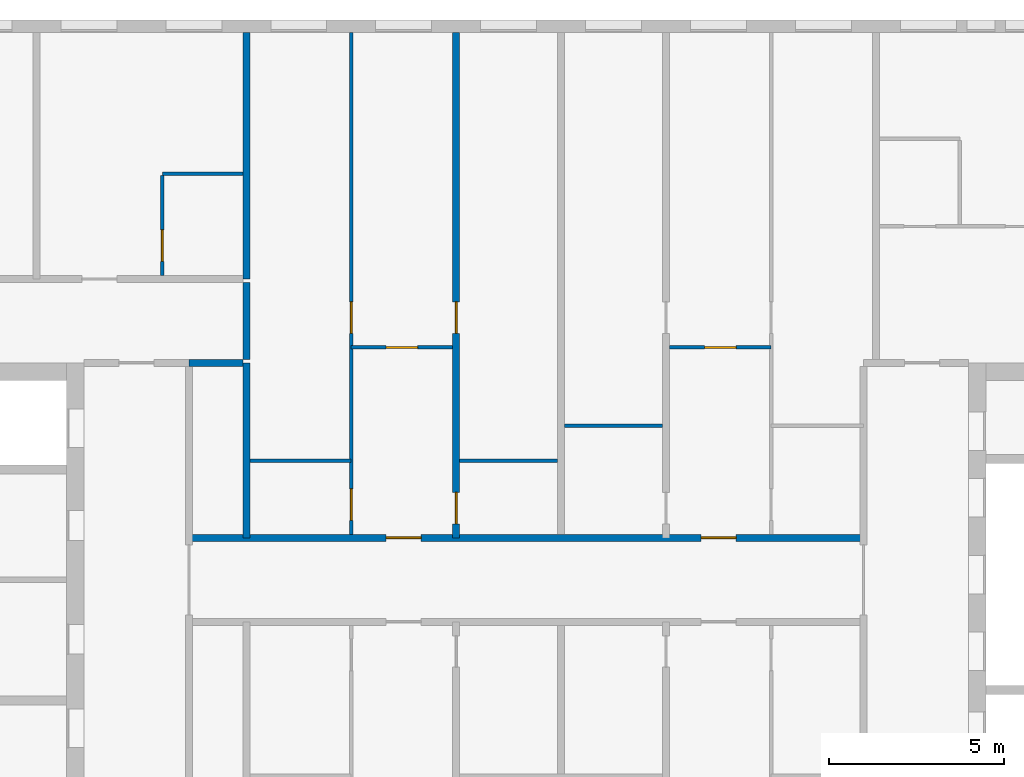
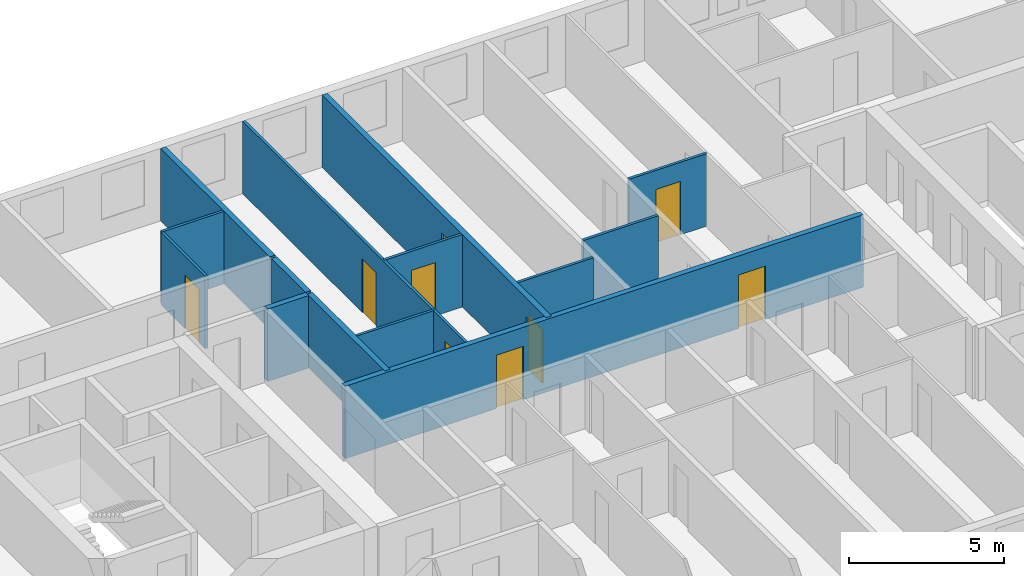
# One storey, part 5 of 16: 14 walls, 9 doors, 9 openings.
"""IFC4 building model written with IfcOpenShell, lengths in metres."""

import ifcopenshell
import ifcopenshell.guid

model = None  # the IFC model being written
_history = None  # IfcOwnerHistory: only IFC2X3 demands one
_inside = {}  # id of a spatial element -> (the spatial element, [elements in it])
_under = {}  # id of a project, library or spatial element -> (it, [spatial elements below it])
_declared = {}  # id of a project -> (the project, [libraries it declares])
_typed = {}  # id of a type object -> (the type object, [elements of that type])
_made_of = {}  # id of a material, layer set ... -> (it, [elements and type objects made of it])


def new_model(schema):
    """Start an empty IFC model of exactly this schema.

    Asked for "IFC4X3", IfcOpenShell would pick the latest addendum, in which some entities
    have other attributes; the version numbers below select the first issue.
    IFC2X3 requires an IfcOwnerHistory on every rooted entity: one is made here for all.
    """
    global model, _history
    if schema == "IFC4X3":
        model = ifcopenshell.file(schema_version=(4, 3, 0, 0))
    else:
        model = ifcopenshell.file(schema=schema)
    _inside.clear()
    _under.clear()
    _declared.clear()
    _typed.clear()
    _made_of.clear()
    _history = None
    if model.schema == "IFC2X3":
        org = make("IfcOrganization", Name="unknown")
        user = make(
            "IfcPersonAndOrganization",
            ThePerson=make("IfcPerson", FamilyName="unknown"),
            TheOrganization=org,
        )
        app = make(
            "IfcApplication",
            ApplicationDeveloper=org,
            Version="unknown",
            ApplicationFullName="unknown",
            ApplicationIdentifier="unknown",
        )
        _history = make(
            "IfcOwnerHistory",
            OwningUser=user,
            OwningApplication=app,
            ChangeAction="ADDED",
            CreationDate=0,
        )
    return model


def make(cls, **values):
    """One entity of the class cls with the attributes given. An attribute that is None is left unset."""
    return model.create_entity(
        cls, **{name: value for name, value in values.items() if value is not None}
    )


def rooted(cls, **values):
    """An entity with a GlobalId (a new one), such as an element, a storey or a relation."""
    return make(cls, GlobalId=ifcopenshell.guid.new(), OwnerHistory=_history, **values)


def si_unit(unit_type, name, prefix=None):
    """IfcSIUnit, for example si_unit("LENGTHUNIT", "METRE", prefix="MILLI")."""
    return make("IfcSIUnit", UnitType=unit_type, Prefix=prefix, Name=name)


def assignment(units):
    """IfcUnitAssignment: the units of a project."""
    return None if units is None else make("IfcUnitAssignment", Units=units)


def point(xyz):
    """IfcCartesianPoint."""
    return None if xyz is None else make("IfcCartesianPoint", Coordinates=xyz)


def direction(xyz):
    """IfcDirection."""
    return None if xyz is None else make("IfcDirection", DirectionRatios=xyz)


def frame(location, z_axis=None, x_axis=None):
    """IfcAxis2Placement3D, a coordinate frame: its origin and axes. An axis left out is left unset."""
    return make(
        "IfcAxis2Placement3D",
        Location=point(location),
        Axis=direction(z_axis),
        RefDirection=direction(x_axis),
    )


def frame_2d(location, x_axis=None):
    """IfcAxis2Placement2D, a coordinate frame in the plane: its origin and x axis."""
    return make(
        "IfcAxis2Placement2D", Location=point(location), RefDirection=direction(x_axis)
    )


def origin():
    """The frame at (0, 0, 0) with its axes left unset."""
    return frame((0.0, 0.0, 0.0))


def place(relative_to, where):
    """IfcLocalPlacement: puts the frame where relative to a parent placement (None: the world)."""
    return make(
        "IfcLocalPlacement", PlacementRelTo=relative_to, RelativePlacement=where
    )


def context(
    kind, dimensions, precision=None, world=None, true_north=None, identifier=None
):
    """IfcGeometricRepresentationContext, for example the 3D "Model" context."""
    return make(
        "IfcGeometricRepresentationContext",
        ContextIdentifier=identifier,
        ContextType=kind,
        CoordinateSpaceDimension=dimensions,
        Precision=precision,
        WorldCoordinateSystem=world,
        TrueNorth=true_north,
    )


def subcontext(parent, identifier, kind, view, scale=None):
    """IfcGeometricRepresentationSubContext, for example "Body" below "Model"."""
    return make(
        "IfcGeometricRepresentationSubContext",
        ContextIdentifier=identifier,
        ContextType=kind,
        ParentContext=parent,
        TargetScale=scale,
        TargetView=view,
    )


def project(units=None, contexts=None):
    """IfcProject with its units and contexts."""
    return rooted(
        "IfcProject",
        Name="project",
        RepresentationContexts=contexts,
        UnitsInContext=assignment(units),
    )


def spatial(cls, under=None, at=None, **own):
    """A site, building, storey or space (cls), placed at a placement, below another one or the project."""
    s = rooted(cls, ObjectPlacement=at, **own)
    if under is not None:
        _under.setdefault(under.id(), (under, []))[1].append(s)
    return s


def profile(cls, at=None, kind="AREA", **sizes):
    """A parametric profile (cls). Its sizes go by their IFC names, for example OverallWidth=200.0."""
    return make(cls, ProfileType=kind, Position=at, **sizes)


def rectangle(**sizes):
    """IfcRectangleProfileDef."""
    return profile("IfcRectangleProfileDef", **sizes)


def extrude(swept, where, along, depth):
    """IfcExtrudedAreaSolid: the profile swept, set in the frame where, extruded along a direction by depth."""
    return make(
        "IfcExtrudedAreaSolid",
        SweptArea=swept,
        Position=where,
        ExtrudedDirection=direction(along),
        Depth=depth,
    )


def shape(context_of_items, identifier, shape_type, items):
    """IfcShapeRepresentation: the items that make up one representation, for example the "Body"."""
    return make(
        "IfcShapeRepresentation",
        ContextOfItems=context_of_items,
        RepresentationIdentifier=identifier,
        RepresentationType=shape_type,
        Items=items,
    )


def material(Name=None, Category=None):
    """IfcMaterial."""
    return make("IfcMaterial", Name=Name, Category=Category)


def layer(
    of_material, thickness, ventilated=None, Name=None, Category=None, Priority=None
):
    """IfcMaterialLayer: one layer of a wall or slab, of a material (None: an air gap)."""
    return make(
        "IfcMaterialLayer",
        Material=of_material,
        LayerThickness=thickness,
        IsVentilated=ventilated,
        Name=Name,
        Category=Category,
        Priority=Priority,
    )


def layer_set(layers, Name=None):
    """IfcMaterialLayerSet."""
    return make("IfcMaterialLayerSet", MaterialLayers=layers, LayerSetName=Name)


def made_of(thing, what):
    """Note that an element or type object is made of a material, layer set ...; save() writes the relation."""
    if what is not None:
        _made_of.setdefault(what.id(), (what, []))[1].append(thing)
    return thing


def type_object(cls, material=None, **own):
    """A type object (cls), such as IfcWallType, which elements share."""
    return made_of(rooted(cls, **own), material)


def element(
    cls,
    number,
    at=None,
    inside=None,
    cuts=None,
    type_object=None,
    material=None,
    context=None,
    identifier="Body",
    shape_type=None,
    held_by="IfcProductDefinitionShape",
    body=None,
    shapes=None,
    **own,
):
    """One element of the class cls, such as IfcWall. Its Tag is "e" and its number.

    at: its placement. inside: the storey or other place that contains it. cuts: it is an
    opening in that element (IfcRelVoidsElement). A single representation is given by context,
    identifier, shape_type and body (its items); several are given by shapes. held_by: the class
    of the entity that holds the representations. save() writes the other relations.
    """
    e = rooted(cls, Tag="e%d" % number, ObjectPlacement=at, **own)
    if body is not None:
        shapes = [shape(context, identifier, shape_type, body)]
    if shapes is not None:
        e.Representation = make(held_by, Representations=shapes)
    if inside is not None:
        _inside.setdefault(inside.id(), (inside, []))[1].append(e)
    if cuts is not None:
        rooted(
            "IfcRelVoidsElement", RelatingBuildingElement=cuts, RelatedOpeningElement=e
        )
    if type_object is not None:
        _typed.setdefault(type_object.id(), (type_object, []))[1].append(e)
    return made_of(e, material)


def fill(opening, filler):
    """IfcRelFillsElement: the door or window that sits in an opening."""
    return rooted(
        "IfcRelFillsElement",
        RelatingOpeningElement=opening,
        RelatedBuildingElement=filler,
    )


def aggregate(whole, parts):
    """IfcRelAggregates: a whole, such as a stair, and the parts it consists of."""
    return rooted("IfcRelAggregates", RelatingObject=whole, RelatedObjects=parts)


def save(model, path):
    """Write the relations noted so far, then the file.

    IfcRelAggregates (storeys below a building ...), IfcRelContainedInSpatialStructure (elements
    in a storey), IfcRelDefinesByType, IfcRelAssociatesMaterial and IfcRelDeclares: one each for
    every whole, place, type object, material and project.
    """
    for whole, parts in _under.values():
        aggregate(whole, parts)
    for where, things in _inside.values():
        rooted(
            "IfcRelContainedInSpatialStructure",
            RelatedElements=things,
            RelatingStructure=where,
        )
    for kind, things in _typed.values():
        rooted("IfcRelDefinesByType", RelatedObjects=things, RelatingType=kind)
    for what, things in _made_of.values():
        rooted("IfcRelAssociatesMaterial", RelatedObjects=things, RelatingMaterial=what)
    for by, libraries in _declared.values():
        rooted("IfcRelDeclares", RelatingContext=by, RelatedDefinitions=libraries)
    model.write(path)


model = new_model("IFC4")

# Units and contexts
model_context = context("Model", 3, precision=1e-05, world=origin(), true_north=direction((0.0, 1.0)))
body_context = subcontext(model_context, "Body", "Model", "MODEL_VIEW")
ifc_project = project(units=[si_unit("LENGTHUNIT", "METRE"), si_unit("AREAUNIT", "SQUARE_METRE"), si_unit("VOLUMEUNIT", "CUBIC_METRE"), si_unit("PLANEANGLEUNIT", "RADIAN"), si_unit("MASSUNIT", "GRAM", prefix="KILO")], contexts=[model_context])

# Site, building, storey
site_placement = place(None, origin())
site = spatial("IfcSite", under=ifc_project, at=site_placement, CompositionType="ELEMENT")
building_placement = place(site_placement, origin())
building = spatial("IfcBuilding", under=site, at=building_placement, Name="Tuart Gate Housing", CompositionType="ELEMENT")
storey_placement = place(building_placement, frame((0.0, 0.0, 151.60009765625)))
storey = spatial("IfcBuildingStorey", under=building, at=storey_placement, Name="L42", CompositionType="ELEMENT", Elevation=151.60009765625)

# Wall, openings, doors
ifc_material_1 = material(Name="Concrete masonry 15 MPa", Category="masonry")
ifc_layer_1 = layer(ifc_material_1, 0.199951171875)
ifc_layer_set_1 = layer_set([ifc_layer_1], Name="Corridor wall masonry 200")
wall_type_1 = type_object("IfcWallType", Name="Corridor wall masonry 200", PredefinedType="PARTITIONING", material=ifc_layer_set_1)
wall_1_placement = place(storey_placement, frame((44.360107421875, 71.199951171875, 0.0), z_axis=(0.0, 0.0, 1.0), x_axis=(1.0, 0.0, 0.0)))
wall_1 = element("IfcWall", 1, at=wall_1_placement, inside=storey, type_object=wall_type_1, Name="Corridor wall masonry 200", PredefinedType="PARTITIONING", context=body_context, shape_type="SweptSolid", body=[
    extrude(rectangle(XDim=19.27978515625, YDim=0.199951171875, at=frame_2d((9.639892578125, 0.0))), origin(), (0.0, 0.0, 1.0), 2.849853515625),
])
opening_1_placement = place(wall_1_placement, frame((14.639892578125, 0.0, 0.0)))
opening_1 = element("IfcOpeningElement", 2, at=opening_1_placement, cuts=wall_1, Name="Opening D1540", PredefinedType="OPENING", context=body_context, shape_type="SweptSolid", body=[
    extrude(rectangle(XDim=1.0, YDim=2.10009765625, at=frame_2d((0.5, 1.050048828125))), frame((0.0, 0.10986328125, 0.0), z_axis=(0.0, -1.0, 0.0), x_axis=(1.0, 0.0, 0.0)), (0.0, 0.0, 1.0), 0.219970703125),
])
opening_2_placement = place(wall_1_placement, frame((5.639892578125, 0.0, 0.0)))
opening_2 = element("IfcOpeningElement", 3, at=opening_2_placement, cuts=wall_1, Name="Opening D1541", PredefinedType="OPENING", context=body_context, shape_type="SweptSolid", body=[
    extrude(rectangle(XDim=1.0, YDim=2.10009765625, at=frame_2d((0.5, 1.050048828125))), frame((0.0, 0.10986328125, 0.0), z_axis=(0.0, -1.0, 0.0), x_axis=(1.0, 0.0, 0.0)), (0.0, 0.0, 1.0), 0.219970703125),
])
ifc_material_2 = material(Name="Timber door leaf in steel frame", Category="steel")
door_type_1 = type_object("IfcDoorType", Name="Flat entrance door 1000", OperationType="SINGLE_SWING_LEFT", PredefinedType="DOOR", material=ifc_material_2)
door_1_placement = place(opening_1_placement, origin())
door_1 = element("IfcDoor", 4, at=door_1_placement, inside=storey, type_object=door_type_1, Name="Flat entrance door", OperationType="SINGLE_SWING_LEFT", OverallHeight=2.10009765625, OverallWidth=1.0, PredefinedType="DOOR", context=body_context, shape_type="SweptSolid", body=[
    extrude(rectangle(XDim=1.0, YDim=2.10009765625, at=frame_2d((0.5, 1.050048828125))), frame((0.0, 0.02490234375, 0.0), z_axis=(0.0, -1.0, 0.0), x_axis=(1.0, 0.0, 0.0)), (0.0, 0.0, 1.0), 0.050048828125),
])
fill(opening_1, door_1)
door_2_placement = place(opening_2_placement, origin())
door_2 = element("IfcDoor", 5, at=door_2_placement, inside=storey, type_object=door_type_1, Name="Flat entrance door", OperationType="SINGLE_SWING_LEFT", OverallHeight=2.10009765625, OverallWidth=1.0, PredefinedType="DOOR", context=body_context, shape_type="SweptSolid", body=[
    extrude(rectangle(XDim=1.0, YDim=2.10009765625, at=frame_2d((0.5, 1.050048828125))), frame((0.0, 0.02490234375, 0.0), z_axis=(0.0, -1.0, 0.0), x_axis=(1.0, 0.0, 0.0)), (0.0, 0.0, 1.0), 0.050048828125),
])
fill(opening_2, door_2)

# Walls
wall_2_placement = place(storey_placement, frame((44.360107421875, 76.199951171875, 0.0), z_axis=(0.0, 0.0, 1.0), x_axis=(1.0, 0.0, 0.0)))
element("IfcWall", 6, at=wall_2_placement, inside=storey, type_object=wall_type_1, Name="Corridor wall masonry 200", PredefinedType="PARTITIONING", context=body_context, shape_type="SweptSolid", body=[
    extrude(rectangle(XDim=1.539794921875, YDim=0.199951171875, at=frame_2d((0.77001953125, 0.0))), origin(), (0.0, 0.0, 1.0), 2.849853515625),
])
wall_3_placement = place(storey_placement, frame((46.0, 76.300048828125, 0.0), z_axis=(0.0, 0.0, 1.0), x_axis=(0.0, 1.0, 0.0)))
element("IfcWall", 7, at=wall_3_placement, inside=storey, type_object=wall_type_1, Name="Corridor wall masonry 200", PredefinedType="PARTITIONING", context=body_context, shape_type="SweptSolid", body=[
    extrude(rectangle(XDim=2.199951171875, YDim=0.199951171875, at=frame_2d((1.10009765625, 0.0))), origin(), (0.0, 0.0, 1.0), 2.849853515625),
])
ifc_material_3 = material(Name="Gypsum board on steel studs", Category="steel")
ifc_layer_2 = layer(ifc_material_3, 0.10009765625)
ifc_layer_set_2 = layer_set([ifc_layer_2], Name="Partition 100")
wall_type_2 = type_object("IfcWallType", Name="Partition 100", PredefinedType="PARTITIONING", material=ifc_layer_set_2)
wall_4_placement = place(storey_placement, frame((46.10009765625, 73.39990234375, 0.0), z_axis=(0.0, 0.0, 1.0), x_axis=(1.0, 0.0, 0.0)))
element("IfcWall", 8, at=wall_4_placement, inside=storey, type_object=wall_type_2, Name="Partition 100", PredefinedType="PARTITIONING", context=body_context, shape_type="SweptSolid", body=[
    extrude(rectangle(XDim=2.89990234375, YDim=0.10009765625, at=frame_2d((1.449951171875, 0.0))), origin(), (0.0, 0.0, 1.0), 2.849853515625),
])
for number, where, z_axis, x_axis, name in (
    (9, (52.10009765625, 73.39990234375, 0.0), (0.0, 0.0, 1.0), (1.0, 0.0, 0.0), "Partition 100"),
    (10, (55.10009765625, 74.39990234375, 0.0), (0.0, 0.0, 1.0), (1.0, 0.0, 0.0), "Partition 100"),
):
    element("IfcWall", number, at=place(storey_placement, frame(where, z_axis=z_axis, x_axis=x_axis)), inside=storey, type_object=wall_type_2, Name=name, PredefinedType="PARTITIONING", context=body_context, shape_type="SweptSolid", body=[
        extrude(rectangle(XDim=2.7998046875, YDim=0.10009765625, at=frame_2d((1.39990234375, 0.0))), origin(), (0.0, 0.0, 1.0), 2.849853515625),
    ])

# Wall, opening, door
wall_5_placement = place(storey_placement, frame((49.0, 76.639892578125, 0.0), z_axis=(0.0, 0.0, 1.0), x_axis=(1.0, 0.0, 0.0)))
wall_5 = element("IfcWall", 11, at=wall_5_placement, inside=storey, type_object=wall_type_2, Name="Partition 100", PredefinedType="PARTITIONING", context=body_context, shape_type="SweptSolid", body=[
    extrude(rectangle(XDim=2.89990234375, YDim=0.10009765625, at=frame_2d((1.449951171875, 0.0))), origin(), (0.0, 0.0, 1.0), 2.849853515625),
])
opening_3_placement = place(wall_5_placement, frame((1.0, 0.0, 0.0)))
opening_3 = element("IfcOpeningElement", 12, at=opening_3_placement, cuts=wall_5, Name="Opening D1533", PredefinedType="OPENING", context=body_context, shape_type="SweptSolid", body=[
    extrude(rectangle(XDim=0.89990234375, YDim=2.10009765625, at=frame_2d((0.449951171875, 1.050048828125))), frame((0.0, 0.06005859375, 0.0), z_axis=(0.0, -1.0, 0.0), x_axis=(1.0, 0.0, 0.0)), (0.0, 0.0, 1.0), 0.1201171875),
])
ifc_material_4 = material(Name="Timber door leaf in steel frame", Category="steel")
door_type_2 = type_object("IfcDoorType", Name="Internal door 900 RH", OperationType="SINGLE_SWING_RIGHT", PredefinedType="DOOR", material=ifc_material_4)
door_3_placement = place(opening_3_placement, frame((0.89990234375, 0.0, 0.0), z_axis=(0.0, 0.0, 1.0), x_axis=(-1.0, 0.0, 0.0)))
door_3 = element("IfcDoor", 13, at=door_3_placement, inside=storey, type_object=door_type_2, Name="Internal door", OperationType="SINGLE_SWING_RIGHT", OverallHeight=2.10009765625, OverallWidth=0.89990234375, PredefinedType="DOOR", context=body_context, shape_type="SweptSolid", body=[
    extrude(rectangle(XDim=0.89990234375, YDim=2.10009765625, at=frame_2d((0.449951171875, 1.050048828125))), frame((0.0, 0.025146484375, 0.0), z_axis=(0.0, -1.0, 0.0), x_axis=(1.0, 0.0, 0.0)), (0.0, 0.0, 1.0), 0.050048828125),
])
fill(opening_3, door_3)

wall_6_placement = place(storey_placement, frame((58.10009765625, 76.639892578125, 0.0), z_axis=(0.0, 0.0, 1.0), x_axis=(1.0, 0.0, 0.0)))
wall_6 = element("IfcWall", 14, at=wall_6_placement, inside=storey, type_object=wall_type_2, Name="Partition 100", PredefinedType="PARTITIONING", context=body_context, shape_type="SweptSolid", body=[
    extrude(rectangle(XDim=2.89990234375, YDim=0.10009765625, at=frame_2d((1.449951171875, 0.0))), origin(), (0.0, 0.0, 1.0), 2.849853515625),
])
opening_4_placement = place(wall_6_placement, frame((1.0, 0.0, 0.0)))
opening_4 = element("IfcOpeningElement", 15, at=opening_4_placement, cuts=wall_6, Name="Opening D1534", PredefinedType="OPENING", context=body_context, shape_type="SweptSolid", body=[
    extrude(rectangle(XDim=0.89990234375, YDim=2.10009765625, at=frame_2d((0.449951171875, 1.050048828125))), frame((0.0, 0.06005859375, 0.0), z_axis=(0.0, -1.0, 0.0), x_axis=(1.0, 0.0, 0.0)), (0.0, 0.0, 1.0), 0.1201171875),
])
ifc_material_5 = material(Name="Timber door leaf in steel frame", Category="steel")
door_type_3 = type_object("IfcDoorType", Name="Internal door 900", OperationType="SINGLE_SWING_LEFT", PredefinedType="DOOR", material=ifc_material_5)
door_4_placement = place(opening_4_placement, frame((0.89990234375, 0.0, 0.0), z_axis=(0.0, 0.0, 1.0), x_axis=(-1.0, 0.0, 0.0)))
door_4 = element("IfcDoor", 16, at=door_4_placement, inside=storey, type_object=door_type_3, Name="Internal door", OperationType="SINGLE_SWING_LEFT", OverallHeight=2.10009765625, OverallWidth=0.89990234375, PredefinedType="DOOR", context=body_context, shape_type="SweptSolid", body=[
    extrude(rectangle(XDim=0.89990234375, YDim=2.10009765625, at=frame_2d((0.449951171875, 1.050048828125))), frame((0.0, 0.025146484375, 0.0), z_axis=(0.0, -1.0, 0.0), x_axis=(1.0, 0.0, 0.0)), (0.0, 0.0, 1.0), 0.050048828125),
])
fill(opening_4, door_4)

# Wall
wall_7_placement = place(storey_placement, frame((43.60009765625, 81.60009765625, 0.0), z_axis=(0.0, 0.0, 1.0), x_axis=(1.0, 0.0, 0.0)))
element("IfcWall", 17, at=wall_7_placement, inside=storey, type_object=wall_type_2, Name="Partition 100", PredefinedType="PARTITIONING", context=body_context, shape_type="SweptSolid", body=[
    extrude(rectangle(XDim=2.2998046875, YDim=0.10009765625, at=frame_2d((1.14990234375, 0.0))), origin(), (0.0, 0.0, 1.0), 2.849853515625),
])

# Wall, opening, door
wall_8_placement = place(storey_placement, frame((43.60009765625, 78.699951171875, 0.0), z_axis=(0.0, 0.0, 1.0), x_axis=(0.0, 1.0, 0.0)))
wall_8 = element("IfcWall", 18, at=wall_8_placement, inside=storey, type_object=wall_type_2, Name="Partition 100", PredefinedType="PARTITIONING", context=body_context, shape_type="SweptSolid", body=[
    extrude(rectangle(XDim=2.85009765625, YDim=0.10009765625, at=frame_2d((1.425048828125, 0.0))), origin(), (0.0, 0.0, 1.0), 2.849853515625),
])
opening_5_placement = place(wall_8_placement, frame((0.39990234375, 0.0, 0.0)))
opening_5 = element("IfcOpeningElement", 19, at=opening_5_placement, cuts=wall_8, Name="Opening D1520", PredefinedType="OPENING", context=body_context, shape_type="SweptSolid", body=[
    extrude(rectangle(XDim=0.89990234375, YDim=2.10009765625, at=frame_2d((0.449951171875, 1.050048828125))), frame((0.0, 0.06005859375, 0.0), z_axis=(0.0, -1.0, 0.0), x_axis=(1.0, 0.0, 0.0)), (0.0, 0.0, 1.0), 0.1201171875),
])
ifc_material_6 = material(Name="Timber door leaf in steel frame", Category="steel")
door_type_4 = type_object("IfcDoorType", Name="Bathroom door 900 RH", OperationType="SINGLE_SWING_RIGHT", PredefinedType="DOOR", material=ifc_material_6)
door_5_placement = place(opening_5_placement, frame((0.89990234375, 0.0, 0.0), z_axis=(0.0, 0.0, 1.0), x_axis=(-1.0, 0.0, 0.0)))
door_5 = element("IfcDoor", 20, at=door_5_placement, inside=storey, type_object=door_type_4, Name="Bathroom door", OperationType="SINGLE_SWING_RIGHT", OverallHeight=2.10009765625, OverallWidth=0.89990234375, PredefinedType="DOOR", context=body_context, shape_type="SweptSolid", body=[
    extrude(rectangle(XDim=0.89990234375, YDim=2.10009765625, at=frame_2d((0.449951171875, 1.050048828125))), frame((0.0, 0.025146484375, 0.0), z_axis=(0.0, -1.0, 0.0), x_axis=(1.0, 0.0, 0.0)), (0.0, 0.0, 1.0), 0.050048828125),
])
fill(opening_5, door_5)

# Wall, openings, doors
wall_9_placement = place(storey_placement, frame((49.0, 71.300048828125, 0.0), z_axis=(0.0, 0.0, 1.0), x_axis=(0.0, 1.0, 0.0)))
wall_9 = element("IfcWall", 21, at=wall_9_placement, inside=storey, type_object=wall_type_2, Name="Partition 100", PredefinedType="PARTITIONING", context=body_context, shape_type="SweptSolid", body=[
    extrude(rectangle(XDim=14.33984375, YDim=0.10009765625, at=frame_2d((7.169921875, 0.0))), origin(), (0.0, 0.0, 1.0), 2.849853515625),
])
opening_6_placement = place(wall_9_placement, frame((5.739990234375, 0.0, 0.0)))
opening_6 = element("IfcOpeningElement", 22, at=opening_6_placement, cuts=wall_9, Name="Opening D1526", PredefinedType="OPENING", context=body_context, shape_type="SweptSolid", body=[
    extrude(rectangle(XDim=0.89990234375, YDim=2.10009765625, at=frame_2d((0.449951171875, 1.050048828125))), frame((0.0, 0.06005859375, 0.0), z_axis=(0.0, -1.0, 0.0), x_axis=(1.0, 0.0, 0.0)), (0.0, 0.0, 1.0), 0.1201171875),
])
opening_7_placement = place(wall_9_placement, frame((0.39990234375, 0.0, 0.0)))
opening_7 = element("IfcOpeningElement", 23, at=opening_7_placement, cuts=wall_9, Name="Opening D1525", PredefinedType="OPENING", context=body_context, shape_type="SweptSolid", body=[
    extrude(rectangle(XDim=0.89990234375, YDim=2.10009765625, at=frame_2d((0.449951171875, 1.050048828125))), frame((0.0, 0.06005859375, 0.0), z_axis=(0.0, -1.0, 0.0), x_axis=(1.0, 0.0, 0.0)), (0.0, 0.0, 1.0), 0.1201171875),
])
ifc_material_7 = material(Name="Timber door leaf in steel frame", Category="steel")
door_type_5 = type_object("IfcDoorType", Name="Bathroom door 900", OperationType="SINGLE_SWING_LEFT", PredefinedType="DOOR", material=ifc_material_7)
door_6_placement = place(opening_7_placement, origin())
door_6 = element("IfcDoor", 24, at=door_6_placement, inside=storey, type_object=door_type_5, Name="Bathroom door", OperationType="SINGLE_SWING_LEFT", OverallHeight=2.10009765625, OverallWidth=0.89990234375, PredefinedType="DOOR", context=body_context, shape_type="SweptSolid", body=[
    extrude(rectangle(XDim=0.89990234375, YDim=2.10009765625, at=frame_2d((0.449951171875, 1.050048828125))), frame((0.0, 0.02490234375, 0.0), z_axis=(0.0, -1.0, 0.0), x_axis=(1.0, 0.0, 0.0)), (0.0, 0.0, 1.0), 0.050048828125),
])
fill(opening_7, door_6)
door_7_placement = place(opening_6_placement, origin())
door_7 = element("IfcDoor", 25, at=door_7_placement, inside=storey, type_object=door_type_3, Name="Internal door", OperationType="SINGLE_SWING_LEFT", OverallHeight=2.10009765625, OverallWidth=0.89990234375, PredefinedType="DOOR", context=body_context, shape_type="SweptSolid", body=[
    extrude(rectangle(XDim=0.89990234375, YDim=2.10009765625, at=frame_2d((0.449951171875, 1.050048828125))), frame((0.0, 0.02490234375, 0.0), z_axis=(0.0, -1.0, 0.0), x_axis=(1.0, 0.0, 0.0)), (0.0, 0.0, 1.0), 0.050048828125),
])
fill(opening_6, door_7)

# Walls
ifc_material_8 = material(Name="Concrete C40", Category="concrete")
ifc_layer_3 = layer(ifc_material_8, 0.199951171875)
ifc_layer_set_3 = layer_set([ifc_layer_3], Name="Party wall concrete C40 200")
wall_type_3 = type_object("IfcWallType", Name="Party wall concrete C40 200", PredefinedType="SOLIDWALL", material=ifc_layer_set_3)
wall_10_placement = place(storey_placement, frame((46.0, 71.199951171875, 0.0), z_axis=(0.0, 0.0, 1.0), x_axis=(0.0, 1.0, 0.0)))
element("IfcWall", 26, at=wall_10_placement, inside=storey, type_object=wall_type_3, Name="Party wall concrete C40 200", PredefinedType="SOLIDWALL", context=body_context, shape_type="SweptSolid", body=[
    extrude(rectangle(XDim=5.0, YDim=0.199951171875, at=frame_2d((2.5, 0.0))), origin(), (0.0, 0.0, 1.0), 2.849853515625),
])
wall_11_placement = place(storey_placement, frame((46.0, 78.60009765625, 0.0), z_axis=(0.0, 0.0, 1.0), x_axis=(0.0, 1.0, 0.0)))
element("IfcWall", 27, at=wall_11_placement, inside=storey, type_object=wall_type_3, Name="Party wall concrete C40 200", PredefinedType="SOLIDWALL", context=body_context, shape_type="SweptSolid", body=[
    extrude(rectangle(XDim=7.039794921875, YDim=0.199951171875, at=frame_2d((3.52001953125, 0.0))), origin(), (0.0, 0.0, 1.0), 2.849853515625),
])

# Wall, openings, doors
wall_12_placement = place(storey_placement, frame((52.0, 71.199951171875, 0.0), z_axis=(0.0, 0.0, 1.0), x_axis=(0.0, 1.0, 0.0)))
wall_12 = element("IfcWall", 28, at=wall_12_placement, inside=storey, type_object=wall_type_3, Name="Party wall concrete C40 200", PredefinedType="SOLIDWALL", context=body_context, shape_type="SweptSolid", body=[
    extrude(rectangle(XDim=14.43994140625, YDim=0.199951171875, at=frame_2d((7.219970703125, 0.0))), origin(), (0.0, 0.0, 1.0), 2.849853515625),
])
opening_8_placement = place(wall_12_placement, frame((5.840087890625, 0.0, 0.0)))
opening_8 = element("IfcOpeningElement", 29, at=opening_8_placement, cuts=wall_12, Name="Opening D1530", PredefinedType="OPENING", context=body_context, shape_type="SweptSolid", body=[
    extrude(rectangle(XDim=0.89990234375, YDim=2.10009765625, at=frame_2d((0.449951171875, 1.050048828125))), frame((0.0, 0.10986328125, 0.0), z_axis=(0.0, -1.0, 0.0), x_axis=(1.0, 0.0, 0.0)), (0.0, 0.0, 1.0), 0.219970703125),
])
opening_9_placement = place(wall_12_placement, frame((0.39990234375, 0.0, 0.0)))
opening_9 = element("IfcOpeningElement", 30, at=opening_9_placement, cuts=wall_12, Name="Opening D1529", PredefinedType="OPENING", context=body_context, shape_type="SweptSolid", body=[
    extrude(rectangle(XDim=0.89990234375, YDim=2.10009765625, at=frame_2d((0.449951171875, 1.050048828125))), frame((0.0, 0.10986328125, 0.0), z_axis=(0.0, -1.0, 0.0), x_axis=(1.0, 0.0, 0.0)), (0.0, 0.0, 1.0), 0.219970703125),
])
door_8_placement = place(opening_9_placement, frame((0.89990234375, 0.0, 0.0), z_axis=(0.0, 0.0, 1.0), x_axis=(-1.0, 0.0, 0.0)))
door_8 = element("IfcDoor", 31, at=door_8_placement, inside=storey, type_object=door_type_4, Name="Bathroom door", OperationType="SINGLE_SWING_RIGHT", OverallHeight=2.10009765625, OverallWidth=0.89990234375, PredefinedType="DOOR", context=body_context, shape_type="SweptSolid", body=[
    extrude(rectangle(XDim=0.89990234375, YDim=2.10009765625, at=frame_2d((0.449951171875, 1.050048828125))), frame((0.0, 0.025146484375, 0.0), z_axis=(0.0, -1.0, 0.0), x_axis=(1.0, 0.0, 0.0)), (0.0, 0.0, 1.0), 0.050048828125),
])
fill(opening_9, door_8)
door_9_placement = place(opening_8_placement, frame((0.89990234375, 0.0, 0.0), z_axis=(0.0, 0.0, 1.0), x_axis=(-1.0, 0.0, 0.0)))
door_9 = element("IfcDoor", 32, at=door_9_placement, inside=storey, type_object=door_type_2, Name="Internal door", OperationType="SINGLE_SWING_RIGHT", OverallHeight=2.10009765625, OverallWidth=0.89990234375, PredefinedType="DOOR", context=body_context, shape_type="SweptSolid", body=[
    extrude(rectangle(XDim=0.89990234375, YDim=2.10009765625, at=frame_2d((0.449951171875, 1.050048828125))), frame((0.0, 0.025146484375, 0.0), z_axis=(0.0, -1.0, 0.0), x_axis=(1.0, 0.0, 0.0)), (0.0, 0.0, 1.0), 0.050048828125),
])
fill(opening_8, door_9)

save(model, "model.ifc")
